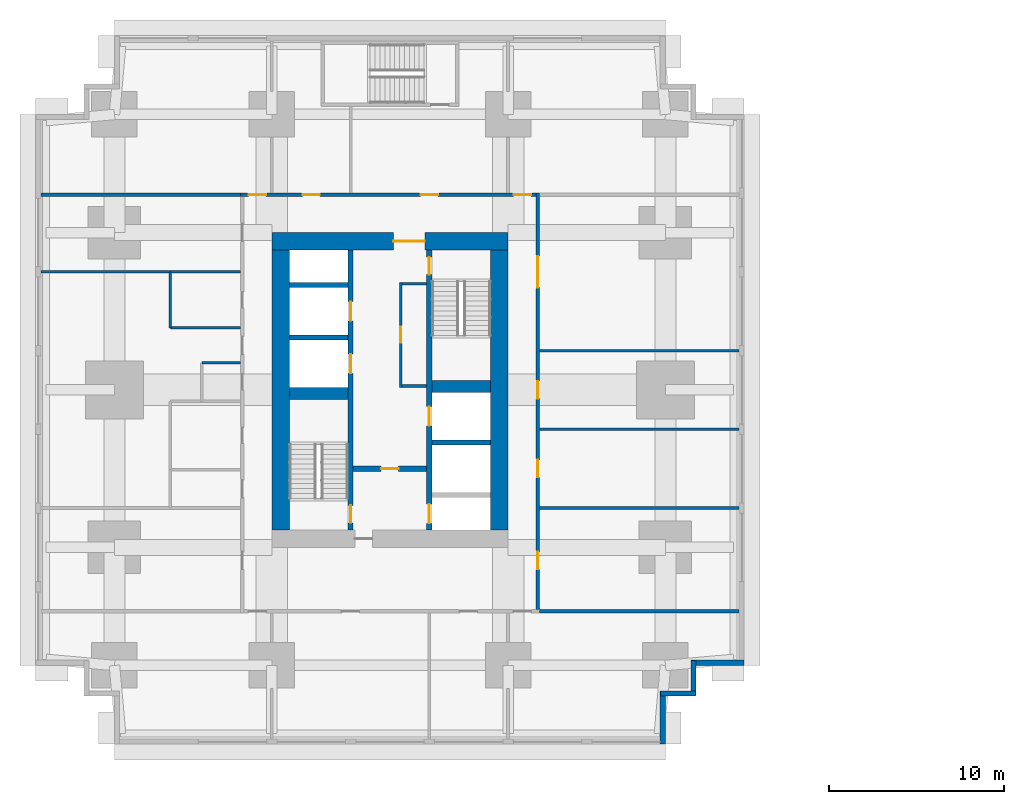
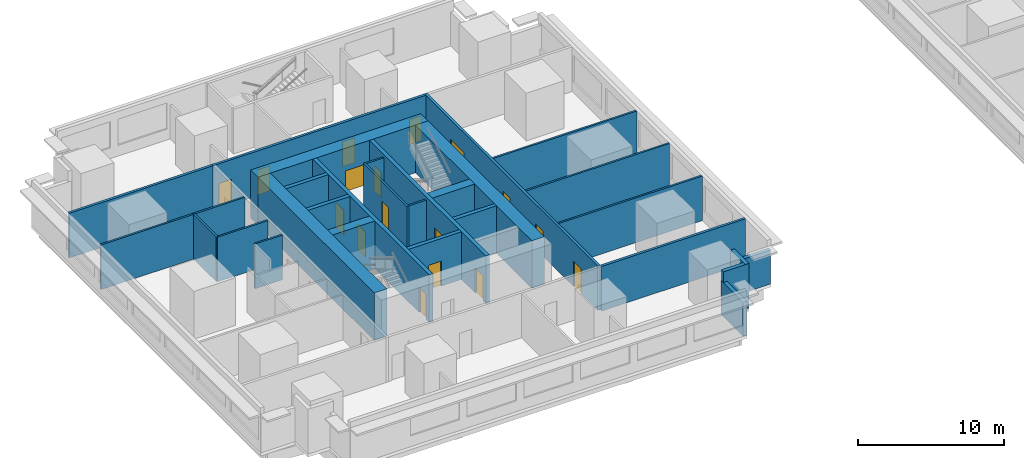
# One storey, part 4 of 11: 29 walls, 17 doors, 17 openings.
"""IFC4 building model written with IfcOpenShell, lengths in metres."""

from ifc_helpers import new_model, si_unit, direction, frame, frame_2d, origin, place, context, subcontext, project, spatial, rectangle, extrude, material, layer, layer_set, type_object, element, fill, save


model = new_model("IFC4")

# Units and contexts
model_context = context("Model", 3, precision=1e-05, world=origin(), true_north=direction((0.0, 1.0)))
body_context = subcontext(model_context, "Body", "Model", "MODEL_VIEW")
ifc_project = project(units=[si_unit("LENGTHUNIT", "METRE"), si_unit("AREAUNIT", "SQUARE_METRE"), si_unit("VOLUMEUNIT", "CUBIC_METRE"), si_unit("PLANEANGLEUNIT", "RADIAN"), si_unit("MASSUNIT", "GRAM", prefix="KILO")], contexts=[model_context])

# Site, building, storey
site_placement = place(None, origin())
site = spatial("IfcSite", under=ifc_project, at=site_placement, CompositionType="ELEMENT")
building_placement = place(site_placement, origin())
building = spatial("IfcBuilding", under=site, at=building_placement, Name="Namib Vertical Campus", CompositionType="ELEMENT")
storey_placement = place(building_placement, frame((0.0, 0.0, 25.0)))
storey = spatial("IfcBuildingStorey", under=building, at=storey_placement, Name="L05", CompositionType="ELEMENT", Elevation=25.0)

# Wall, openings, doors
ifc_material_1 = material(Name="Concrete C60/75", Category="concrete")
ifc_layer_1 = layer(ifc_material_1, 0.300048828125)
ifc_layer_set_1 = layer_set([ifc_layer_1], Name="Concrete C60/75")
wall_type_1 = type_object("IfcWallType", Name="Core inner wall 300", PredefinedType="SHEAR", material=ifc_layer_set_1)
wall_1_placement = place(storey_placement, frame((18.0, 12.25, 0.0), z_axis=(0.0, 0.0, 1.0), x_axis=(0.0, 1.0, 0.0)))
wall_1 = element("IfcWall", 1, at=wall_1_placement, inside=storey, type_object=wall_type_1, Name="Core inner wall A L05 W1", PredefinedType="SHEAR", context=body_context, shape_type="SweptSolid", body=[
    extrude(rectangle(XDim=16.0, YDim=0.300048828125, at=frame_2d((8.0, 0.0))), origin(), (0.0, 0.0, 1.0), 4.0),
])
opening_1_placement = place(wall_1_placement, frame((0.39990234375, 0.0, 0.0)))
opening_1 = element("IfcOpeningElement", 2, at=opening_1_placement, cuts=wall_1, Name="Opening FD1", PredefinedType="OPENING", context=body_context, shape_type="SweptSolid", body=[
    extrude(rectangle(XDim=1.0, YDim=2.10009765625, at=frame_2d((0.5, 1.050048828125))), frame((0.0, 0.159912109375, 0.0), z_axis=(0.0, -1.0, 0.0), x_axis=(1.0, 0.0, 0.0)), (0.0, 0.0, 1.0), 0.320068359375),
])
opening_2_placement = place(wall_1_placement, frame((8.949951171875, 0.0, 0.0)))
opening_2 = element("IfcOpeningElement", 3, at=opening_2_placement, cuts=wall_1, Name="Opening LD1", PredefinedType="OPENING", context=body_context, shape_type="SweptSolid", body=[
    extrude(rectangle(XDim=1.10009765625, YDim=2.10009765625, at=frame_2d((0.550048828125, 1.050048828125))), frame((0.0, 0.159912109375, 0.0), z_axis=(0.0, -1.0, 0.0), x_axis=(1.0, 0.0, 0.0)), (0.0, 0.0, 1.0), 0.320068359375),
])
opening_3_placement = place(wall_1_placement, frame((11.949951171875, 0.0, 0.0)))
opening_3 = element("IfcOpeningElement", 4, at=opening_3_placement, cuts=wall_1, Name="Opening LD1", PredefinedType="OPENING", context=body_context, shape_type="SweptSolid", body=[
    extrude(rectangle(XDim=1.10009765625, YDim=2.10009765625, at=frame_2d((0.550048828125, 1.050048828125))), frame((0.0, 0.159912109375, 0.0), z_axis=(0.0, -1.0, 0.0), x_axis=(1.0, 0.0, 0.0)), (0.0, 0.0, 1.0), 0.320068359375),
])
ifc_material_2 = material(Name="Steel fire door", Category="steel")
door_type_1 = type_object("IfcDoorType", Name="Fire door 1000x2100", OperationType="SINGLE_SWING_RIGHT", PredefinedType="DOOR", material=ifc_material_2)
door_1_placement = place(opening_1_placement, origin())
door_1 = element("IfcDoor", 5, at=door_1_placement, inside=storey, type_object=door_type_1, Name="Stair door FD1 A L05 S1", OperationType="SINGLE_SWING_LEFT", OverallHeight=2.10009765625, OverallWidth=1.0, PredefinedType="DOOR", context=body_context, shape_type="SweptSolid", body=[
    extrude(rectangle(XDim=1.0, YDim=2.10009765625, at=frame_2d((0.5, 1.050048828125))), frame((0.0, 0.02490234375, 0.0), z_axis=(0.0, -1.0, 0.0), x_axis=(1.0, 0.0, 0.0)), (0.0, 0.0, 1.0), 0.050048828125),
])
fill(opening_1, door_1)
ifc_material_3 = material(Name="Stainless steel lift door", Category="steel")
door_type_2 = type_object("IfcDoorType", Name="Lift landing door 1100x2100", OperationType="DOUBLE_DOOR_SLIDING", PredefinedType="DOOR", material=ifc_material_3)
door_2_placement = place(opening_2_placement, origin())
door_2 = element("IfcDoor", 6, at=door_2_placement, inside=storey, type_object=door_type_2, Name="Lift landing door LD1 A-P1 L05", OperationType="DOUBLE_DOOR_SLIDING", OverallHeight=2.10009765625, OverallWidth=1.10009765625, PredefinedType="DOOR", context=body_context, shape_type="SweptSolid", body=[
    extrude(rectangle(XDim=1.10009765625, YDim=2.10009765625, at=frame_2d((0.550048828125, 1.050048828125))), frame((0.0, 0.02490234375, 0.0), z_axis=(0.0, -1.0, 0.0), x_axis=(1.0, 0.0, 0.0)), (0.0, 0.0, 1.0), 0.050048828125),
])
fill(opening_2, door_2)
door_3_placement = place(opening_3_placement, origin())
door_3 = element("IfcDoor", 7, at=door_3_placement, inside=storey, type_object=door_type_2, Name="Lift landing door LD1 A-P2 L05", OperationType="DOUBLE_DOOR_SLIDING", OverallHeight=2.10009765625, OverallWidth=1.10009765625, PredefinedType="DOOR", context=body_context, shape_type="SweptSolid", body=[
    extrude(rectangle(XDim=1.10009765625, YDim=2.10009765625, at=frame_2d((0.550048828125, 1.050048828125))), frame((0.0, 0.02490234375, 0.0), z_axis=(0.0, -1.0, 0.0), x_axis=(1.0, 0.0, 0.0)), (0.0, 0.0, 1.0), 0.050048828125),
])
fill(opening_3, door_3)

wall_2_placement = place(storey_placement, frame((22.5, 12.25, 0.0), z_axis=(0.0, 0.0, 1.0), x_axis=(0.0, 1.0, 0.0)))
wall_2 = element("IfcWall", 8, at=wall_2_placement, inside=storey, type_object=wall_type_1, Name="Core inner wall A L05 W2", PredefinedType="SHEAR", context=body_context, shape_type="SweptSolid", body=[
    extrude(rectangle(XDim=16.0, YDim=0.300048828125, at=frame_2d((8.0, 0.0))), origin(), (0.0, 0.0, 1.0), 4.0),
])
opening_4_placement = place(wall_2_placement, frame((14.60009765625, 0.0, 0.0)))
opening_4 = element("IfcOpeningElement", 9, at=opening_4_placement, cuts=wall_2, Name="Opening FD1", PredefinedType="OPENING", context=body_context, shape_type="SweptSolid", body=[
    extrude(rectangle(XDim=1.0, YDim=2.10009765625, at=frame_2d((0.5, 1.050048828125))), frame((0.0, 0.159912109375, 0.0), z_axis=(0.0, -1.0, 0.0), x_axis=(1.0, 0.0, 0.0)), (0.0, 0.0, 1.0), 0.320068359375),
])
opening_5_placement = place(wall_2_placement, frame((0.375, 0.0, 0.0)))
opening_5 = element("IfcOpeningElement", 10, at=opening_5_placement, cuts=wall_2, Name="Opening LD1", PredefinedType="OPENING", context=body_context, shape_type="SweptSolid", body=[
    extrude(rectangle(XDim=1.10009765625, YDim=2.10009765625, at=frame_2d((0.550048828125, 1.050048828125))), frame((0.0, 0.159912109375, 0.0), z_axis=(0.0, -1.0, 0.0), x_axis=(1.0, 0.0, 0.0)), (0.0, 0.0, 1.0), 0.320068359375),
])
opening_6_placement = place(wall_2_placement, frame((5.949951171875, 0.0, 0.0)))
opening_6 = element("IfcOpeningElement", 11, at=opening_6_placement, cuts=wall_2, Name="Opening LD1", PredefinedType="OPENING", context=body_context, shape_type="SweptSolid", body=[
    extrude(rectangle(XDim=1.10009765625, YDim=2.10009765625, at=frame_2d((0.550048828125, 1.050048828125))), frame((0.0, 0.159912109375, 0.0), z_axis=(0.0, -1.0, 0.0), x_axis=(1.0, 0.0, 0.0)), (0.0, 0.0, 1.0), 0.320068359375),
])
door_4_placement = place(opening_4_placement, frame((1.0, 0.0, 0.0), z_axis=(0.0, 0.0, 1.0), x_axis=(-1.0, 0.0, 0.0)))
door_4 = element("IfcDoor", 12, at=door_4_placement, inside=storey, type_object=door_type_1, Name="Stair door FD1 A L05 S2", OperationType="SINGLE_SWING_LEFT", OverallHeight=2.10009765625, OverallWidth=1.0, PredefinedType="DOOR", context=body_context, shape_type="SweptSolid", body=[
    extrude(rectangle(XDim=1.0, YDim=2.10009765625, at=frame_2d((0.5, 1.050048828125))), frame((0.0, 0.02490234375, 0.0), z_axis=(0.0, -1.0, 0.0), x_axis=(1.0, 0.0, 0.0)), (0.0, 0.0, 1.0), 0.050048828125),
])
fill(opening_4, door_4)
door_5_placement = place(opening_5_placement, origin())
door_5 = element("IfcDoor", 13, at=door_5_placement, inside=storey, type_object=door_type_2, Name="Lift landing door LD1 A-FL1 L05", OperationType="DOUBLE_DOOR_SLIDING", OverallHeight=2.10009765625, OverallWidth=1.10009765625, PredefinedType="DOOR", context=body_context, shape_type="SweptSolid", body=[
    extrude(rectangle(XDim=1.10009765625, YDim=2.10009765625, at=frame_2d((0.550048828125, 1.050048828125))), frame((0.0, 0.02490234375, 0.0), z_axis=(0.0, -1.0, 0.0), x_axis=(1.0, 0.0, 0.0)), (0.0, 0.0, 1.0), 0.050048828125),
])
fill(opening_5, door_5)
door_6_placement = place(opening_6_placement, origin())
door_6 = element("IfcDoor", 14, at=door_6_placement, inside=storey, type_object=door_type_2, Name="Lift landing door LD1 A-P5 L05", OperationType="DOUBLE_DOOR_SLIDING", OverallHeight=2.10009765625, OverallWidth=1.10009765625, PredefinedType="DOOR", context=body_context, shape_type="SweptSolid", body=[
    extrude(rectangle(XDim=1.10009765625, YDim=2.10009765625, at=frame_2d((0.550048828125, 1.050048828125))), frame((0.0, 0.02490234375, 0.0), z_axis=(0.0, -1.0, 0.0), x_axis=(1.0, 0.0, 0.0)), (0.0, 0.0, 1.0), 0.050048828125),
])
fill(opening_6, door_6)

# Wall, opening, door
wall_3_placement = place(storey_placement, frame((18.14990234375, 15.75, 0.0), z_axis=(0.0, 0.0, 1.0), x_axis=(1.0, 0.0, 0.0)))
wall_3 = element("IfcWall", 15, at=wall_3_placement, inside=storey, type_object=wall_type_1, Name="Core inner wall A L05 W4", PredefinedType="SHEAR", context=body_context, shape_type="SweptSolid", body=[
    extrude(rectangle(XDim=4.2001953125, YDim=0.300048828125, at=frame_2d((2.10009765625, 0.0))), origin(), (0.0, 0.0, 1.0), 4.0),
])
opening_7_placement = place(wall_3_placement, frame((1.60009765625, 0.0, 0.0)))
opening_7 = element("IfcOpeningElement", 16, at=opening_7_placement, cuts=wall_3, Name="Opening FD5", PredefinedType="OPENING", context=body_context, shape_type="SweptSolid", body=[
    extrude(rectangle(XDim=1.0, YDim=2.10009765625, at=frame_2d((0.5, 1.050048828125))), frame((0.0, 0.159912109375, 0.0), z_axis=(0.0, -1.0, 0.0), x_axis=(1.0, 0.0, 0.0)), (0.0, 0.0, 1.0), 0.320068359375),
])
ifc_material_4 = material(Name="Steel fire door", Category="steel")
door_type_3 = type_object("IfcDoorType", Name="Fire door 1000x2100 120 min", OperationType="SINGLE_SWING_RIGHT", PredefinedType="DOOR", material=ifc_material_4)
door_7_placement = place(opening_7_placement, frame((1.0, 0.0, 0.0), z_axis=(0.0, 0.0, 1.0), x_axis=(-1.0, 0.0, 0.0)))
door_7 = element("IfcDoor", 17, at=door_7_placement, inside=storey, type_object=door_type_3, Name="Lobby door FD5 A L05", OperationType="SINGLE_SWING_RIGHT", OverallHeight=2.10009765625, OverallWidth=1.0, PredefinedType="DOOR", context=body_context, shape_type="SweptSolid", body=[
    extrude(rectangle(XDim=1.0, YDim=2.10009765625, at=frame_2d((0.5, 1.050048828125))), frame((0.0, 0.02490234375, 0.0), z_axis=(0.0, -1.0, 0.0), x_axis=(1.0, 0.0, 0.0)), (0.0, 0.0, 1.0), 0.050048828125),
])
fill(opening_7, door_7)

# Walls
for number, where, z_axis, x_axis, name in (
    (18, (22.64990234375, 17.25, 0.0), (0.0, 0.0, 1.0), (1.0, 0.0, 0.0), "Core inner wall A L05 W6"),
    (19, (14.5, 23.25, 0.0), (0.0, 0.0, 1.0), (1.0, 0.0, 0.0), "Core inner wall A L05 W8"),
    (20, (14.5, 26.25, 0.0), (0.0, 0.0, 1.0), (1.0, 0.0, 0.0), "Core inner wall A L05 W9"),
):
    element("IfcWall", number, at=place(storey_placement, frame(where, z_axis=z_axis, x_axis=x_axis)), inside=storey, type_object=wall_type_1, Name=name, PredefinedType="SHEAR", context=body_context, shape_type="SweptSolid", body=[
        extrude(rectangle(XDim=3.35009765625, YDim=0.300048828125, at=frame_2d((1.675048828125, 0.0))), origin(), (0.0, 0.0, 1.0), 4.0),
    ])
ifc_material_5 = material(Name="Concrete C60/75", Category="concrete")
ifc_layer_2 = layer(ifc_material_5, 0.699951171875)
ifc_layer_set_2 = layer_set([ifc_layer_2], Name="Concrete C60/75")
wall_type_2 = type_object("IfcWallType", Name="Core shear wall 700", PredefinedType="SHEAR", material=ifc_layer_set_2)
for number, where, z_axis, x_axis, name in (
    (21, (14.5, 20.050048828125, 0.0), (0.0, 0.0, 1.0), (1.0, 0.0, 0.0), "Core shear wall A L05 W3"),
    (22, (22.64990234375, 20.449951171875, 0.0), (0.0, 0.0, 1.0), (1.0, 0.0, 0.0), "Core shear wall A L05 W7"),
):
    element("IfcWall", number, at=place(storey_placement, frame(where, z_axis=z_axis, x_axis=x_axis)), inside=storey, type_object=wall_type_2, Name=name, PredefinedType="SHEAR", context=body_context, shape_type="SweptSolid", body=[
        extrude(rectangle(XDim=3.35009765625, YDim=0.699951171875, at=frame_2d((1.675048828125, 0.0))), origin(), (0.0, 0.0, 1.0), 4.0),
    ])
ifc_material_6 = material(Name="Concrete C60/75", Category="concrete")
ifc_layer_3 = layer(ifc_material_6, 1.0)
ifc_layer_set_3 = layer_set([ifc_layer_3], Name="Concrete C60/75")
wall_type_3 = type_object("IfcWallType", Name="Core wall 1000", PredefinedType="SHEAR", material=ifc_layer_set_3)
wall_4_placement = place(storey_placement, frame((26.5, 12.25, 0.0), z_axis=(0.0, 0.0, 1.0), x_axis=(0.0, 1.0, 0.0)))
element("IfcWall", 23, at=wall_4_placement, inside=storey, type_object=wall_type_3, Name="Core wall A L05 2", PredefinedType="SHEAR", context=body_context, shape_type="SweptSolid", body=[
    extrude(rectangle(XDim=16.0, YDim=1.0, at=frame_2d((8.0, 0.0))), origin(), (0.0, 0.0, 1.0), 4.0),
])

# Wall, opening, door
wall_5_placement = place(storey_placement, frame((27.0, 28.75, 0.0), z_axis=(0.0, 0.0, 1.0), x_axis=(-1.0, 0.0, 0.0)))
wall_5 = element("IfcWall", 24, at=wall_5_placement, inside=storey, type_object=wall_type_3, Name="Core wall A L05 3", PredefinedType="SHEAR", context=body_context, shape_type="SweptSolid", body=[
    extrude(rectangle(XDim=13.5, YDim=1.0, at=frame_2d((6.75, 0.0))), origin(), (0.0, 0.0, 1.0), 4.0),
])
opening_8_placement = place(wall_5_placement, frame((4.75, 0.0, 0.0)))
opening_8 = element("IfcOpeningElement", 25, at=opening_8_placement, cuts=wall_5, Name="Opening FD2", PredefinedType="OPENING", context=body_context, shape_type="SweptSolid", body=[
    extrude(rectangle(XDim=1.800048828125, YDim=2.10009765625, at=frame_2d((0.89990234375, 1.050048828125))), frame((0.0, 0.510009765625, 0.0), z_axis=(0.0, -1.0, 0.0), x_axis=(1.0, 0.0, 0.0)), (0.0, 0.0, 1.0), 1.02001953125),
])
ifc_material_7 = material(Name="Steel fire door", Category="steel")
door_type_4 = type_object("IfcDoorType", Name="Fire door double 1800x2100", OperationType="DOUBLE_DOOR_SINGLE_SWING", PredefinedType="DOOR", material=ifc_material_7)
door_8_placement = place(opening_8_placement, origin())
door_8 = element("IfcDoor", 26, at=door_8_placement, inside=storey, type_object=door_type_4, Name="Lift lobby door FD2 A L05", OperationType="DOUBLE_DOOR_SINGLE_SWING", OverallHeight=2.10009765625, OverallWidth=1.800048828125, PredefinedType="DOOR", context=body_context, shape_type="SweptSolid", body=[
    extrude(rectangle(XDim=1.800048828125, YDim=2.10009765625, at=frame_2d((0.89990234375, 1.050048828125))), frame((0.0, 0.02490234375, 0.0), z_axis=(0.0, -1.0, 0.0), x_axis=(1.0, 0.0, 0.0)), (0.0, 0.0, 1.0), 0.050048828125),
])
fill(opening_8, door_8)

# Wall
wall_6_placement = place(storey_placement, frame((14.0, 28.25, 0.0), z_axis=(0.0, 0.0, 1.0), x_axis=(0.0, -1.0, 0.0)))
element("IfcWall", 27, at=wall_6_placement, inside=storey, type_object=wall_type_3, Name="Core wall A L05 4", PredefinedType="SHEAR", context=body_context, shape_type="SweptSolid", body=[
    extrude(rectangle(XDim=16.0, YDim=1.0, at=frame_2d((8.0, 0.0))), origin(), (0.0, 0.0, 1.0), 4.0),
])

# Wall, openings, doors
ifc_material_8 = material(Name="Concrete masonry", Category="masonry")
ifc_layer_4 = layer(ifc_material_8, 0.199951171875)
ifc_layer_set_4 = layer_set([ifc_layer_4], Name="Corridor wall 200")
wall_type_4 = type_object("IfcWallType", Name="Corridor wall 200", PredefinedType="SOLIDWALL", material=ifc_layer_set_4)
wall_7_placement = place(storey_placement, frame((28.699951171875, 7.699951171875, 0.0), z_axis=(0.0, 0.0, 1.0), x_axis=(0.0, 1.0, 0.0)))
wall_7 = element("IfcWall", 28, at=wall_7_placement, inside=storey, type_object=wall_type_4, Name="Corridor wall A L05 CE", PredefinedType="SOLIDWALL", context=body_context, shape_type="SweptSolid", body=[
    extrude(rectangle(XDim=23.800048828125, YDim=0.199951171875, at=frame_2d((11.89990234375, 0.0))), origin(), (0.0, 0.0, 1.0), 3.75),
])
opening_9_placement = place(wall_7_placement, frame((2.300048828125, 0.0, 0.0)))
opening_9 = element("IfcOpeningElement", 29, at=opening_9_placement, cuts=wall_7, Name="Opening CD1", PredefinedType="OPENING", context=body_context, shape_type="SweptSolid", body=[
    extrude(rectangle(XDim=1.0, YDim=2.10009765625, at=frame_2d((0.5, 1.050048828125))), frame((0.0, 0.10986328125, 0.0), z_axis=(0.0, -1.0, 0.0), x_axis=(1.0, 0.0, 0.0)), (0.0, 0.0, 1.0), 0.219970703125),
])
opening_10_placement = place(wall_7_placement, frame((7.550048828125, 0.0, 0.0)))
opening_10 = element("IfcOpeningElement", 30, at=opening_10_placement, cuts=wall_7, Name="Opening CD1", PredefinedType="OPENING", context=body_context, shape_type="SweptSolid", body=[
    extrude(rectangle(XDim=1.0, YDim=2.10009765625, at=frame_2d((0.5, 1.050048828125))), frame((0.0, 0.10986328125, 0.0), z_axis=(0.0, -1.0, 0.0), x_axis=(1.0, 0.0, 0.0)), (0.0, 0.0, 1.0), 0.219970703125),
])
opening_11_placement = place(wall_7_placement, frame((12.050048828125, 0.0, 0.0)))
opening_11 = element("IfcOpeningElement", 31, at=opening_11_placement, cuts=wall_7, Name="Opening CD1", PredefinedType="OPENING", context=body_context, shape_type="SweptSolid", body=[
    extrude(rectangle(XDim=1.0, YDim=2.10009765625, at=frame_2d((0.5, 1.050048828125))), frame((0.0, 0.10986328125, 0.0), z_axis=(0.0, -1.0, 0.0), x_axis=(1.0, 0.0, 0.0)), (0.0, 0.0, 1.0), 0.219970703125),
])
opening_12_placement = place(wall_7_placement, frame((18.39990234375, 0.0, 0.0)))
opening_12 = element("IfcOpeningElement", 32, at=opening_12_placement, cuts=wall_7, Name="Opening CD2", PredefinedType="OPENING", context=body_context, shape_type="SweptSolid", body=[
    extrude(rectangle(XDim=1.800048828125, YDim=2.10009765625, at=frame_2d((0.89990234375, 1.050048828125))), frame((0.0, 0.10986328125, 0.0), z_axis=(0.0, -1.0, 0.0), x_axis=(1.0, 0.0, 0.0)), (0.0, 0.0, 1.0), 0.219970703125),
])
ifc_material_9 = material(Name="Timber fire door leaf", Category="wood")
door_type_5 = type_object("IfcDoorType", Name="Corridor door 1000x2100 20 min", OperationType="SINGLE_SWING_LEFT", PredefinedType="DOOR", material=ifc_material_9)
door_9_placement = place(opening_9_placement, frame((1.0, 0.0, 0.0), z_axis=(0.0, 0.0, 1.0), x_axis=(-1.0, 0.0, 0.0)))
door_9 = element("IfcDoor", 33, at=door_9_placement, inside=storey, type_object=door_type_5, Name="Door CD1 A05-05", OperationType="SINGLE_SWING_RIGHT", OverallHeight=2.10009765625, OverallWidth=1.0, PredefinedType="DOOR", context=body_context, shape_type="SweptSolid", body=[
    extrude(rectangle(XDim=1.0, YDim=2.10009765625, at=frame_2d((0.5, 1.050048828125))), frame((0.0, 0.02490234375, 0.0), z_axis=(0.0, -1.0, 0.0), x_axis=(1.0, 0.0, 0.0)), (0.0, 0.0, 1.0), 0.050048828125),
])
fill(opening_9, door_9)
door_10_placement = place(opening_10_placement, frame((1.0, 0.0, 0.0), z_axis=(0.0, 0.0, 1.0), x_axis=(-1.0, 0.0, 0.0)))
door_10 = element("IfcDoor", 34, at=door_10_placement, inside=storey, type_object=door_type_5, Name="Door CD1 A05-06", OperationType="SINGLE_SWING_RIGHT", OverallHeight=2.10009765625, OverallWidth=1.0, PredefinedType="DOOR", context=body_context, shape_type="SweptSolid", body=[
    extrude(rectangle(XDim=1.0, YDim=2.10009765625, at=frame_2d((0.5, 1.050048828125))), frame((0.0, 0.02490234375, 0.0), z_axis=(0.0, -1.0, 0.0), x_axis=(1.0, 0.0, 0.0)), (0.0, 0.0, 1.0), 0.050048828125),
])
fill(opening_10, door_10)
door_11_placement = place(opening_11_placement, frame((1.0, 0.0, 0.0), z_axis=(0.0, 0.0, 1.0), x_axis=(-1.0, 0.0, 0.0)))
door_11 = element("IfcDoor", 35, at=door_11_placement, inside=storey, type_object=door_type_5, Name="Door CD1 A05-07", OperationType="SINGLE_SWING_RIGHT", OverallHeight=2.10009765625, OverallWidth=1.0, PredefinedType="DOOR", context=body_context, shape_type="SweptSolid", body=[
    extrude(rectangle(XDim=1.0, YDim=2.10009765625, at=frame_2d((0.5, 1.050048828125))), frame((0.0, 0.02490234375, 0.0), z_axis=(0.0, -1.0, 0.0), x_axis=(1.0, 0.0, 0.0)), (0.0, 0.0, 1.0), 0.050048828125),
])
fill(opening_11, door_11)
ifc_material_10 = material(Name="Timber fire door leaf", Category="wood")
door_type_6 = type_object("IfcDoorType", Name="Corridor door double 1800x2100 20 min", OperationType="DOUBLE_DOOR_SINGLE_SWING", PredefinedType="DOOR", material=ifc_material_10)
door_12_placement = place(opening_12_placement, frame((1.800048828125, 0.0, 0.0), z_axis=(0.0, 0.0, 1.0), x_axis=(-1.0, 0.0, 0.0)))
door_12 = element("IfcDoor", 36, at=door_12_placement, inside=storey, type_object=door_type_6, Name="Door CD2 A05-08", OperationType="DOUBLE_DOOR_SINGLE_SWING", OverallHeight=2.10009765625, OverallWidth=1.800048828125, PredefinedType="DOOR", context=body_context, shape_type="SweptSolid", body=[
    extrude(rectangle(XDim=1.800048828125, YDim=2.10009765625, at=frame_2d((0.89990234375, 1.050048828125))), frame((0.0, 0.02490234375, 0.0), z_axis=(0.0, -1.0, 0.0), x_axis=(1.0, 0.0, 0.0)), (0.0, 0.0, 1.0), 0.050048828125),
])
fill(opening_12, door_12)

wall_8_placement = place(storey_placement, frame((28.60009765625, 31.39990234375, 0.0), z_axis=(0.0, 0.0, 1.0), x_axis=(-1.0, 0.0, 0.0)))
wall_8 = element("IfcWall", 37, at=wall_8_placement, inside=storey, type_object=wall_type_4, Name="Corridor wall A L05 CN", PredefinedType="SOLIDWALL", context=body_context, shape_type="SweptSolid", body=[
    extrude(rectangle(XDim=16.900146484375, YDim=0.199951171875, at=frame_2d((8.4501953125, 0.0))), origin(), (0.0, 0.0, 1.0), 3.75),
])
opening_13_placement = place(wall_8_placement, frame((15.425048828125, 0.0, 0.0)))
opening_13 = element("IfcOpeningElement", 38, at=opening_13_placement, cuts=wall_8, Name="Opening CD1", PredefinedType="OPENING", context=body_context, shape_type="SweptSolid", body=[
    extrude(rectangle(XDim=1.0, YDim=2.10009765625, at=frame_2d((0.5, 1.050048828125))), frame((0.0, 0.10986328125, 0.0), z_axis=(0.0, -1.0, 0.0), x_axis=(1.0, 0.0, 0.0)), (0.0, 0.0, 1.0), 0.219970703125),
])
opening_14_placement = place(wall_8_placement, frame((12.35009765625, 0.0, 0.0)))
opening_14 = element("IfcOpeningElement", 39, at=opening_14_placement, cuts=wall_8, Name="Opening CD1", PredefinedType="OPENING", context=body_context, shape_type="SweptSolid", body=[
    extrude(rectangle(XDim=1.0, YDim=2.10009765625, at=frame_2d((0.5, 1.050048828125))), frame((0.0, 0.10986328125, 0.0), z_axis=(0.0, -1.0, 0.0), x_axis=(1.0, 0.0, 0.0)), (0.0, 0.0, 1.0), 0.219970703125),
])
opening_15_placement = place(wall_8_placement, frame((5.60009765625, 0.0, 0.0)))
opening_15 = element("IfcOpeningElement", 40, at=opening_15_placement, cuts=wall_8, Name="Opening CD4", PredefinedType="OPENING", context=body_context, shape_type="SweptSolid", body=[
    extrude(rectangle(XDim=1.0, YDim=2.10009765625, at=frame_2d((0.5, 1.050048828125))), frame((0.0, 0.10986328125, 0.0), z_axis=(0.0, -1.0, 0.0), x_axis=(1.0, 0.0, 0.0)), (0.0, 0.0, 1.0), 0.219970703125),
])
opening_16_placement = place(wall_8_placement, frame((0.27490234375, 0.0, 0.0)))
opening_16 = element("IfcOpeningElement", 41, at=opening_16_placement, cuts=wall_8, Name="Opening CD1", PredefinedType="OPENING", context=body_context, shape_type="SweptSolid", body=[
    extrude(rectangle(XDim=1.0, YDim=2.10009765625, at=frame_2d((0.5, 1.050048828125))), frame((0.0, 0.10986328125, 0.0), z_axis=(0.0, -1.0, 0.0), x_axis=(1.0, 0.0, 0.0)), (0.0, 0.0, 1.0), 0.219970703125),
])
door_13_placement = place(opening_13_placement, frame((1.0, 0.0, 0.0), z_axis=(0.0, 0.0, 1.0), x_axis=(-1.0, 0.0, 0.0)))
door_13 = element("IfcDoor", 42, at=door_13_placement, inside=storey, type_object=door_type_5, Name="Door CD1 A05-09", OperationType="SINGLE_SWING_RIGHT", OverallHeight=2.10009765625, OverallWidth=1.0, PredefinedType="DOOR", context=body_context, shape_type="SweptSolid", body=[
    extrude(rectangle(XDim=1.0, YDim=2.10009765625, at=frame_2d((0.5, 1.050048828125))), frame((0.0, 0.02490234375, 0.0), z_axis=(0.0, -1.0, 0.0), x_axis=(1.0, 0.0, 0.0)), (0.0, 0.0, 1.0), 0.050048828125),
])
fill(opening_13, door_13)
door_14_placement = place(opening_14_placement, frame((1.0, 0.0, 0.0), z_axis=(0.0, 0.0, 1.0), x_axis=(-1.0, 0.0, 0.0)))
door_14 = element("IfcDoor", 43, at=door_14_placement, inside=storey, type_object=door_type_5, Name="Door CD1 A05-10", OperationType="SINGLE_SWING_RIGHT", OverallHeight=2.10009765625, OverallWidth=1.0, PredefinedType="DOOR", context=body_context, shape_type="SweptSolid", body=[
    extrude(rectangle(XDim=1.0, YDim=2.10009765625, at=frame_2d((0.5, 1.050048828125))), frame((0.0, 0.02490234375, 0.0), z_axis=(0.0, -1.0, 0.0), x_axis=(1.0, 0.0, 0.0)), (0.0, 0.0, 1.0), 0.050048828125),
])
fill(opening_14, door_14)
door_15_placement = place(opening_16_placement, frame((1.0, 0.0, 0.0), z_axis=(0.0, 0.0, 1.0), x_axis=(-1.0, 0.0, 0.0)))
door_15 = element("IfcDoor", 44, at=door_15_placement, inside=storey, type_object=door_type_5, Name="Door CD1 A05-12", OperationType="SINGLE_SWING_LEFT", OverallHeight=2.10009765625, OverallWidth=1.0, PredefinedType="DOOR", context=body_context, shape_type="SweptSolid", body=[
    extrude(rectangle(XDim=1.0, YDim=2.10009765625, at=frame_2d((0.5, 1.050048828125))), frame((0.0, 0.02490234375, 0.0), z_axis=(0.0, -1.0, 0.0), x_axis=(1.0, 0.0, 0.0)), (0.0, 0.0, 1.0), 0.050048828125),
])
fill(opening_16, door_15)
ifc_material_11 = material(Name="Timber fire door leaf", Category="wood")
door_type_7 = type_object("IfcDoorType", Name="Corridor door 1000x2100 20 min double-acting", OperationType="DOUBLE_SWING_LEFT", PredefinedType="DOOR", material=ifc_material_11)
door_16_placement = place(opening_15_placement, origin())
door_16 = element("IfcDoor", 45, at=door_16_placement, inside=storey, type_object=door_type_7, Name="Door CD4 A05-11", OperationType="DOUBLE_SWING_LEFT", OverallHeight=2.10009765625, OverallWidth=1.0, PredefinedType="DOOR", context=body_context, shape_type="SweptSolid", body=[
    extrude(rectangle(XDim=1.0, YDim=2.10009765625, at=frame_2d((0.5, 1.050048828125))), frame((0.0, 0.02490234375, 0.0), z_axis=(0.0, -1.0, 0.0), x_axis=(1.0, 0.0, 0.0)), (0.0, 0.0, 1.0), 0.050048828125),
])
fill(opening_15, door_16)

# Walls
for number, where, z_axis, x_axis, name in (
    (46, (28.800048828125, 7.60009765625, 0.0), (0.0, 0.0, 1.0), (1.0, 0.0, 0.0), "Partition A L05 BSE"),
    (47, (0.300048828125, 31.39990234375, 0.0), (0.0, 0.0, 1.0), (1.0, 0.0, 0.0), "Partition A L05 BNW"),
):
    element("IfcWall", number, at=place(storey_placement, frame(where, z_axis=z_axis, x_axis=x_axis)), inside=storey, type_object=wall_type_4, Name=name, PredefinedType="SOLIDWALL", context=body_context, shape_type="SweptSolid", body=[
        extrude(rectangle(XDim=11.39990234375, YDim=0.199951171875, at=frame_2d((5.699951171875, 0.0))), origin(), (0.0, 0.0, 1.0), 3.75),
    ])
ifc_material_12 = material(Name="Concrete C40/50", Category="concrete")
ifc_layer_5 = layer(ifc_material_12, 0.300048828125)
ifc_layer_set_5 = layer_set([ifc_layer_5], Name="Concrete C40/50")
wall_type_5 = type_object("IfcWallType", Name="External wall 300 board-marked concrete", PredefinedType="STANDARD", material=ifc_layer_set_5)
wall_9_placement = place(storey_placement, frame((35.85009765625, 0.02001953125, 0.0), z_axis=(0.0, 0.0, 1.0), x_axis=(0.0, 1.0, 0.0)))
element("IfcWall", 48, at=wall_9_placement, inside=storey, type_object=wall_type_5, Name="External wall L05 F02", PredefinedType="STANDARD", context=body_context, shape_type="SweptSolid", body=[
    extrude(rectangle(XDim=3.010009765625, YDim=0.300048828125, at=frame_2d((1.5048828125, 0.0))), origin(), (0.0, 0.0, 1.0), 2.85009765625),
])
for number, where, z_axis, x_axis, name in (
    (49, (35.719970703125, 2.89990234375, 0.0), (0.0, 0.0, 1.0), (1.0, 0.0, 0.0), "External wall L05 F03"),
    (50, (37.60009765625, 2.77001953125, 0.0), (0.0, 0.0, 1.0), (0.0, 1.0, 0.0), "External wall L05 F04"),
):
    element("IfcWall", number, at=place(storey_placement, frame(where, z_axis=z_axis, x_axis=x_axis)), inside=storey, type_object=wall_type_5, Name=name, PredefinedType="STANDARD", context=body_context, shape_type="SweptSolid", body=[
        extrude(rectangle(XDim=2.010009765625, YDim=0.300048828125, at=frame_2d((1.0048828125, 0.0))), origin(), (0.0, 0.0, 1.0), 3.75),
    ])
wall_10_placement = place(storey_placement, frame((37.469970703125, 4.64990234375, 0.0), z_axis=(0.0, 0.0, 1.0), x_axis=(1.0, 0.0, 0.0)))
element("IfcWall", 51, at=wall_10_placement, inside=storey, type_object=wall_type_5, Name="External wall L05 F05", PredefinedType="STANDARD", context=body_context, shape_type="SweptSolid", body=[
    extrude(rectangle(XDim=3.010009765625, YDim=0.300048828125, at=frame_2d((1.5048828125, 0.0))), origin(), (0.0, 0.0, 1.0), 2.85009765625),
])

# Wall, opening, door
ifc_material_13 = material(Name="Gypsum board on steel studs", Category="steel")
ifc_layer_6 = layer(ifc_material_13, 0.14990234375)
ifc_layer_set_6 = layer_set([ifc_layer_6], Name="Gypsum board on steel studs")
wall_type_6 = type_object("IfcWallType", Name="Partition 150", PredefinedType="PARTITIONING", material=ifc_layer_set_6)
wall_11_placement = place(storey_placement, frame((20.875, 20.39990234375, 0.0), z_axis=(0.0, 0.0, 1.0), x_axis=(0.0, 1.0, 0.0)))
wall_11 = element("IfcWall", 52, at=wall_11_placement, inside=storey, type_object=wall_type_6, Name="Partition A L05 Store front", PredefinedType="PARTITIONING", context=body_context, shape_type="SweptSolid", body=[
    extrude(rectangle(XDim=6.0, YDim=0.14990234375, at=frame_2d((3.0, 0.0))), origin(), (0.0, 0.0, 1.0), 3.75),
])
opening_17_placement = place(wall_11_placement, frame((2.550048828125, 0.0, 0.0)))
opening_17 = element("IfcOpeningElement", 53, at=opening_17_placement, cuts=wall_11, Name="Opening D3", PredefinedType="OPENING", context=body_context, shape_type="SweptSolid", body=[
    extrude(rectangle(XDim=0.89990234375, YDim=2.10009765625, at=frame_2d((0.449951171875, 1.050048828125))), frame((0.0, 0.0849609375, 0.0), z_axis=(0.0, -1.0, 0.0), x_axis=(1.0, 0.0, 0.0)), (0.0, 0.0, 1.0), 0.169921875),
])
ifc_material_14 = material(Name="Timber door leaf", Category="wood")
door_type_8 = type_object("IfcDoorType", Name="Toilet door 900x2100", OperationType="SINGLE_SWING_LEFT", PredefinedType="DOOR", material=ifc_material_14)
door_17_placement = place(opening_17_placement, frame((0.89990234375, 0.0, 0.0), z_axis=(0.0, 0.0, 1.0), x_axis=(-1.0, 0.0, 0.0)))
door_17 = element("IfcDoor", 54, at=door_17_placement, inside=storey, type_object=door_type_8, Name="Door D3 Store A L05", OperationType="SINGLE_SWING_RIGHT", OverallHeight=2.10009765625, OverallWidth=0.89990234375, PredefinedType="DOOR", context=body_context, shape_type="SweptSolid", body=[
    extrude(rectangle(XDim=0.89990234375, YDim=2.10009765625, at=frame_2d((0.449951171875, 1.050048828125))), frame((0.0, 0.02490234375, 0.0), z_axis=(0.0, -1.0, 0.0), x_axis=(1.0, 0.0, 0.0)), (0.0, 0.0, 1.0), 0.050048828125),
])
fill(opening_17, door_17)

# Walls
for number, where, z_axis, x_axis, name in (
    (55, (20.949951171875, 20.47509765625, 0.0), (0.0, 0.0, 1.0), (1.0, 0.0, 0.0), "Partition A L05 Store end 1"),
    (56, (20.949951171875, 26.324951171875, 0.0), (0.0, 0.0, 1.0), (1.0, 0.0, 0.0), "Partition A L05 Store end 2"),
):
    element("IfcWall", number, at=place(storey_placement, frame(where, z_axis=z_axis, x_axis=x_axis)), inside=storey, type_object=wall_type_6, Name=name, PredefinedType="PARTITIONING", context=body_context, shape_type="SweptSolid", body=[
        extrude(rectangle(XDim=1.400146484375, YDim=0.14990234375, at=frame_2d((0.7001953125, 0.0))), origin(), (0.0, 0.0, 1.0), 3.75),
    ])
for number, where, z_axis, x_axis, name in (
    (57, (0.300048828125, 27.0, 0.0), (0.0, 0.0, 1.0), (1.0, 0.0, 0.0), "Partition A L05 PW2"),
    (58, (28.800048828125, 13.5, 0.0), (0.0, 0.0, 1.0), (1.0, 0.0, 0.0), "Partition A L05 PE1"),
    (59, (28.800048828125, 18.0, 0.0), (0.0, 0.0, 1.0), (1.0, 0.0, 0.0), "Partition A L05 PE2"),
    (60, (28.800048828125, 22.5, 0.0), (0.0, 0.0, 1.0), (1.0, 0.0, 0.0), "Partition A L05 PE3"),
):
    element("IfcWall", number, at=place(storey_placement, frame(where, z_axis=z_axis, x_axis=x_axis)), inside=storey, type_object=wall_type_6, Name=name, PredefinedType="PARTITIONING", context=body_context, shape_type="SweptSolid", body=[
        extrude(rectangle(XDim=11.39990234375, YDim=0.14990234375, at=frame_2d((5.699951171875, 0.0))), origin(), (0.0, 0.0, 1.0), 3.75),
    ])
wall_12_placement = place(storey_placement, frame((11.699951171875, 21.800048828125, 0.0), z_axis=(0.0, 0.0, 1.0), x_axis=(-1.0, 0.0, 0.0)))
element("IfcWall", 61, at=wall_12_placement, inside=storey, type_object=wall_type_6, Name="Partition A L05 WR3", PredefinedType="PARTITIONING", context=body_context, shape_type="SweptSolid", body=[
    extrude(rectangle(XDim=2.199951171875, YDim=0.14990234375, at=frame_2d((1.10009765625, 0.0))), origin(), (0.0, 0.0, 1.0), 3.75),
])
wall_13_placement = place(storey_placement, frame((11.699951171875, 23.800048828125, 0.0), z_axis=(0.0, 0.0, 1.0), x_axis=(-1.0, 0.0, 0.0)))
element("IfcWall", 62, at=wall_13_placement, inside=storey, type_object=wall_type_6, Name="Partition A L05 WR4", PredefinedType="PARTITIONING", context=body_context, shape_type="SweptSolid", body=[
    extrude(rectangle(XDim=4.0, YDim=0.14990234375, at=frame_2d((2.0, 0.0))), origin(), (0.0, 0.0, 1.0), 3.75),
])
wall_14_placement = place(storey_placement, frame((7.699951171875, 23.800048828125, 0.0), z_axis=(0.0, 0.0, 1.0), x_axis=(0.0, 1.0, 0.0)))
element("IfcWall", 63, at=wall_14_placement, inside=storey, type_object=wall_type_6, Name="Partition A L05 WB4", PredefinedType="PARTITIONING", context=body_context, shape_type="SweptSolid", body=[
    extrude(rectangle(XDim=3.199951171875, YDim=0.14990234375, at=frame_2d((1.60009765625, 0.0))), origin(), (0.0, 0.0, 1.0), 3.75),
])

save(model, "model.ifc")
